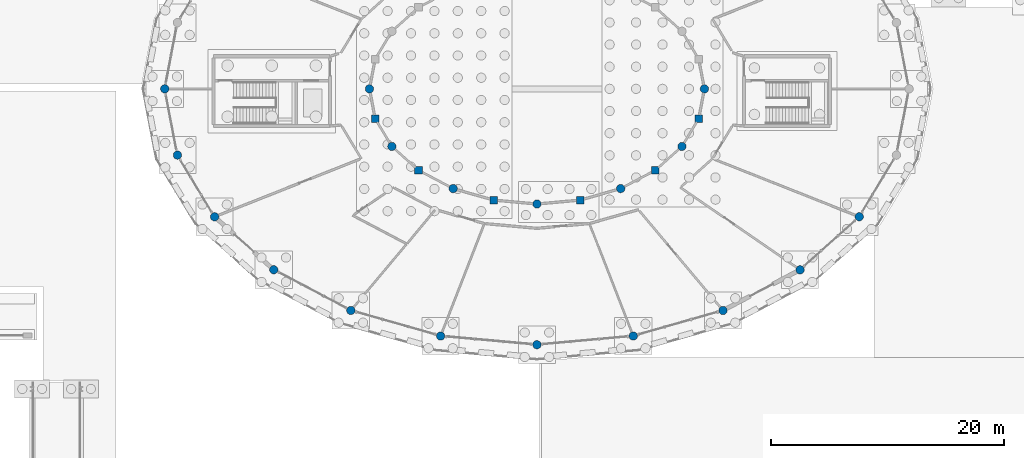
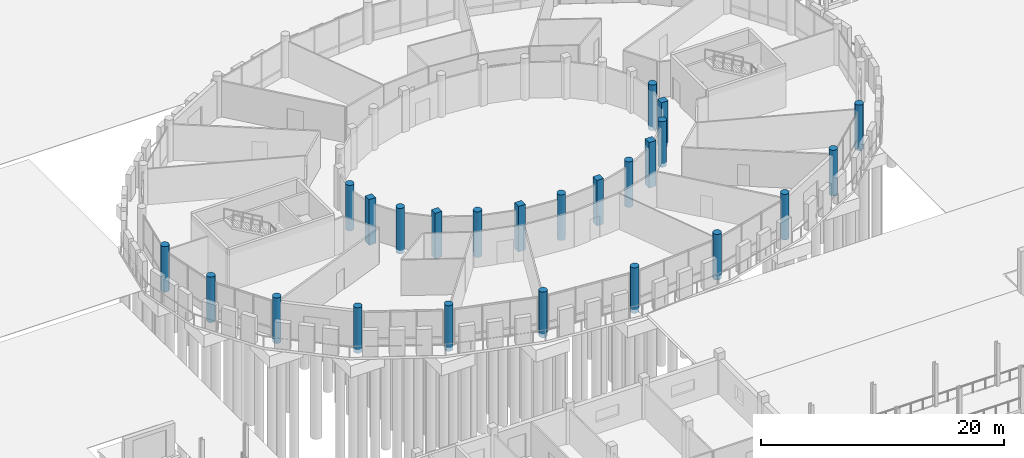
# One storey, part 11 of 98: 24 columns.
"""IFC4 building model written with IfcOpenShell, lengths in metres."""

import ifcopenshell
import ifcopenshell.guid

model = None  # the IFC model being written
_history = None  # IfcOwnerHistory: only IFC2X3 demands one
_inside = {}  # id of a spatial element -> (the spatial element, [elements in it])
_under = {}  # id of a project, library or spatial element -> (it, [spatial elements below it])
_declared = {}  # id of a project -> (the project, [libraries it declares])
_typed = {}  # id of a type object -> (the type object, [elements of that type])
_made_of = {}  # id of a material, layer set ... -> (it, [elements and type objects made of it])


def new_model(schema):
    """Start an empty IFC model of exactly this schema.

    Asked for "IFC4X3", IfcOpenShell would pick the latest addendum, in which some entities
    have other attributes; the version numbers below select the first issue.
    IFC2X3 requires an IfcOwnerHistory on every rooted entity: one is made here for all.
    """
    global model, _history
    if schema == "IFC4X3":
        model = ifcopenshell.file(schema_version=(4, 3, 0, 0))
    else:
        model = ifcopenshell.file(schema=schema)
    _inside.clear()
    _under.clear()
    _declared.clear()
    _typed.clear()
    _made_of.clear()
    _history = None
    if model.schema == "IFC2X3":
        org = make("IfcOrganization", Name="unknown")
        user = make(
            "IfcPersonAndOrganization",
            ThePerson=make("IfcPerson", FamilyName="unknown"),
            TheOrganization=org,
        )
        app = make(
            "IfcApplication",
            ApplicationDeveloper=org,
            Version="unknown",
            ApplicationFullName="unknown",
            ApplicationIdentifier="unknown",
        )
        _history = make(
            "IfcOwnerHistory",
            OwningUser=user,
            OwningApplication=app,
            ChangeAction="ADDED",
            CreationDate=0,
        )
    return model


def make(cls, **values):
    """One entity of the class cls with the attributes given. An attribute that is None is left unset."""
    return model.create_entity(
        cls, **{name: value for name, value in values.items() if value is not None}
    )


def rooted(cls, **values):
    """An entity with a GlobalId (a new one), such as an element, a storey or a relation."""
    return make(cls, GlobalId=ifcopenshell.guid.new(), OwnerHistory=_history, **values)


def si_unit(unit_type, name, prefix=None):
    """IfcSIUnit, for example si_unit("LENGTHUNIT", "METRE", prefix="MILLI")."""
    return make("IfcSIUnit", UnitType=unit_type, Prefix=prefix, Name=name)


def assignment(units):
    """IfcUnitAssignment: the units of a project."""
    return None if units is None else make("IfcUnitAssignment", Units=units)


def point(xyz):
    """IfcCartesianPoint."""
    return None if xyz is None else make("IfcCartesianPoint", Coordinates=xyz)


def direction(xyz):
    """IfcDirection."""
    return None if xyz is None else make("IfcDirection", DirectionRatios=xyz)


def frame(location, z_axis=None, x_axis=None):
    """IfcAxis2Placement3D, a coordinate frame: its origin and axes. An axis left out is left unset."""
    return make(
        "IfcAxis2Placement3D",
        Location=point(location),
        Axis=direction(z_axis),
        RefDirection=direction(x_axis),
    )


def frame_2d(location, x_axis=None):
    """IfcAxis2Placement2D, a coordinate frame in the plane: its origin and x axis."""
    return make(
        "IfcAxis2Placement2D", Location=point(location), RefDirection=direction(x_axis)
    )


def origin():
    """The frame at (0, 0, 0) with its axes left unset."""
    return frame((0.0, 0.0, 0.0))


def origin_2d():
    """The frame at (0, 0) in the plane with its x axis left unset."""
    return frame_2d((0.0, 0.0))


def place(relative_to, where):
    """IfcLocalPlacement: puts the frame where relative to a parent placement (None: the world)."""
    return make(
        "IfcLocalPlacement", PlacementRelTo=relative_to, RelativePlacement=where
    )


def context(
    kind, dimensions, precision=None, world=None, true_north=None, identifier=None
):
    """IfcGeometricRepresentationContext, for example the 3D "Model" context."""
    return make(
        "IfcGeometricRepresentationContext",
        ContextIdentifier=identifier,
        ContextType=kind,
        CoordinateSpaceDimension=dimensions,
        Precision=precision,
        WorldCoordinateSystem=world,
        TrueNorth=true_north,
    )


def subcontext(parent, identifier, kind, view, scale=None):
    """IfcGeometricRepresentationSubContext, for example "Body" below "Model"."""
    return make(
        "IfcGeometricRepresentationSubContext",
        ContextIdentifier=identifier,
        ContextType=kind,
        ParentContext=parent,
        TargetScale=scale,
        TargetView=view,
    )


def project(units=None, contexts=None):
    """IfcProject with its units and contexts."""
    return rooted(
        "IfcProject",
        Name="project",
        RepresentationContexts=contexts,
        UnitsInContext=assignment(units),
    )


def spatial(cls, under=None, at=None, **own):
    """A site, building, storey or space (cls), placed at a placement, below another one or the project."""
    s = rooted(cls, ObjectPlacement=at, **own)
    if under is not None:
        _under.setdefault(under.id(), (under, []))[1].append(s)
    return s


def profile(cls, at=None, kind="AREA", **sizes):
    """A parametric profile (cls). Its sizes go by their IFC names, for example OverallWidth=200.0."""
    return make(cls, ProfileType=kind, Position=at, **sizes)


def rectangle(**sizes):
    """IfcRectangleProfileDef."""
    return profile("IfcRectangleProfileDef", **sizes)


def circle(**sizes):
    """IfcCircleProfileDef."""
    return profile("IfcCircleProfileDef", **sizes)


def extrude(swept, where, along, depth):
    """IfcExtrudedAreaSolid: the profile swept, set in the frame where, extruded along a direction by depth."""
    return make(
        "IfcExtrudedAreaSolid",
        SweptArea=swept,
        Position=where,
        ExtrudedDirection=direction(along),
        Depth=depth,
    )


def shape(context_of_items, identifier, shape_type, items):
    """IfcShapeRepresentation: the items that make up one representation, for example the "Body"."""
    return make(
        "IfcShapeRepresentation",
        ContextOfItems=context_of_items,
        RepresentationIdentifier=identifier,
        RepresentationType=shape_type,
        Items=items,
    )


def material(Name=None, Category=None):
    """IfcMaterial."""
    return make("IfcMaterial", Name=Name, Category=Category)


def material_profile(
    of_material, cross_section, Name=None, Category=None, Priority=None
):
    """IfcMaterialProfile: a cross section and its material."""
    return make(
        "IfcMaterialProfile",
        Name=Name,
        Material=of_material,
        Profile=cross_section,
        Priority=Priority,
        Category=Category,
    )


def profile_set(profiles, Name=None, composite=None):
    """IfcMaterialProfileSet."""
    return make(
        "IfcMaterialProfileSet",
        Name=Name,
        MaterialProfiles=profiles,
        CompositeProfile=composite,
    )


def made_of(thing, what):
    """Note that an element or type object is made of a material, layer set ...; save() writes the relation."""
    if what is not None:
        _made_of.setdefault(what.id(), (what, []))[1].append(thing)
    return thing


def type_object(cls, material=None, **own):
    """A type object (cls), such as IfcWallType, which elements share."""
    return made_of(rooted(cls, **own), material)


def element(
    cls,
    number,
    at=None,
    inside=None,
    cuts=None,
    type_object=None,
    material=None,
    context=None,
    identifier="Body",
    shape_type=None,
    held_by="IfcProductDefinitionShape",
    body=None,
    shapes=None,
    **own,
):
    """One element of the class cls, such as IfcWall. Its Tag is "e" and its number.

    at: its placement. inside: the storey or other place that contains it. cuts: it is an
    opening in that element (IfcRelVoidsElement). A single representation is given by context,
    identifier, shape_type and body (its items); several are given by shapes. held_by: the class
    of the entity that holds the representations. save() writes the other relations.
    """
    e = rooted(cls, Tag="e%d" % number, ObjectPlacement=at, **own)
    if body is not None:
        shapes = [shape(context, identifier, shape_type, body)]
    if shapes is not None:
        e.Representation = make(held_by, Representations=shapes)
    if inside is not None:
        _inside.setdefault(inside.id(), (inside, []))[1].append(e)
    if cuts is not None:
        rooted(
            "IfcRelVoidsElement", RelatingBuildingElement=cuts, RelatedOpeningElement=e
        )
    if type_object is not None:
        _typed.setdefault(type_object.id(), (type_object, []))[1].append(e)
    return made_of(e, material)


def aggregate(whole, parts):
    """IfcRelAggregates: a whole, such as a stair, and the parts it consists of."""
    return rooted("IfcRelAggregates", RelatingObject=whole, RelatedObjects=parts)


def save(model, path):
    """Write the relations noted so far, then the file.

    IfcRelAggregates (storeys below a building ...), IfcRelContainedInSpatialStructure (elements
    in a storey), IfcRelDefinesByType, IfcRelAssociatesMaterial and IfcRelDeclares: one each for
    every whole, place, type object, material and project.
    """
    for whole, parts in _under.values():
        aggregate(whole, parts)
    for where, things in _inside.values():
        rooted(
            "IfcRelContainedInSpatialStructure",
            RelatedElements=things,
            RelatingStructure=where,
        )
    for kind, things in _typed.values():
        rooted("IfcRelDefinesByType", RelatedObjects=things, RelatingType=kind)
    for what, things in _made_of.values():
        rooted("IfcRelAssociatesMaterial", RelatedObjects=things, RelatingMaterial=what)
    for by, libraries in _declared.values():
        rooted("IfcRelDeclares", RelatingContext=by, RelatedDefinitions=libraries)
    model.write(path)


model = new_model("IFC4")

# Units and contexts
model_context = context("Model", 3, precision=1e-05, world=origin(), true_north=direction((0.0, 1.0)))
body_context = subcontext(model_context, "Body", "Model", "MODEL_VIEW")
ifc_project = project(units=[si_unit("LENGTHUNIT", "METRE"), si_unit("AREAUNIT", "SQUARE_METRE"), si_unit("VOLUMEUNIT", "CUBIC_METRE"), si_unit("PLANEANGLEUNIT", "RADIAN"), si_unit("MASSUNIT", "GRAM", prefix="KILO")], contexts=[model_context])

# Site, building, storey
site_placement = place(None, origin())
site = spatial("IfcSite", under=ifc_project, at=site_placement, CompositionType="ELEMENT")
building_placement = place(site_placement, origin())
building = spatial("IfcBuilding", under=site, at=building_placement, Name="Zornivar Specialist Clinic", CompositionType="ELEMENT")
storey_placement = place(building_placement, origin())
storey = spatial("IfcBuildingStorey", under=building, at=storey_placement, Name="L00", CompositionType="ELEMENT", Elevation=0.0)

# Columns
ifc_material_1 = material(Name="Concrete C35/45", Category="concrete")
ifc_material_profile_1 = material_profile(ifc_material_1, rectangle(XDim=0.64990234375, YDim=0.64990234375, at=origin_2d()), Name="RC 650x650")
ifc_profile_set_1 = profile_set([ifc_material_profile_1], Name="Concrete C35/45")
column_type_1 = type_object("IfcColumnType", Name="COL-RC-650", PredefinedType="COLUMN", material=ifc_profile_set_1)
for number, where, z_axis, x_axis, name in (
    (1, (79.69091796875, 55.0380859375, -0.3798828125), (0.0, 0.0, 1.0), (1.0, 0.0, 0.0), "col:V1:L00:in:13"),
    (2, (83.41796875, 50.60009765625, -0.3798828125), (0.0, 0.0, 1.0), (1.0, 0.0, 0.0), "col:V1:L00:in:15"),
    (3, (89.873046875, 48.037109375, -0.3798828125), (0.0, 0.0, 1.0), (1.0, 0.0, 0.0), "col:V1:L00:in:17"),
    (4, (97.326904296875, 48.037109375, -0.3798828125), (0.0, 0.0, 1.0), (1.0, 0.0, 0.0), "col:V1:L00:in:19"),
    (5, (103.781982421875, 50.60009765625, -0.3798828125), (0.0, 0.0, 1.0), (1.0, 0.0, 0.0), "col:V1:L00:in:21"),
    (6, (107.509033203125, 55.0380859375, -0.3798828125), (0.0, 0.0, 1.0), (1.0, 0.0, 0.0), "col:V1:L00:in:23"),
):
    element("IfcColumn", number, at=place(storey_placement, frame(where, z_axis=z_axis, x_axis=x_axis)), inside=storey, type_object=column_type_1, Name=name, PredefinedType="COLUMN", context=body_context, shape_type="SweptSolid", body=[
        extrude(rectangle(XDim=0.64990234375, YDim=0.64990234375, at=origin_2d()), origin(), (0.0, 0.0, 1.0), 4.58984375),
    ])
ifc_material_2 = material(Name="Concrete C35/45", Category="concrete")
ifc_material_profile_2 = material_profile(ifc_material_2, circle(Radius=0.360107421875, at=origin_2d()), Name="RC D720")
ifc_profile_set_2 = profile_set([ifc_material_profile_2], Name="Concrete C35/45")
column_type_2 = type_object("IfcColumnType", Name="COL-RC-D720", PredefinedType="COLUMN", material=ifc_profile_set_2)
for number, where, z_axis, x_axis, name in (
    (7, (108.0, 57.60009765625, -0.3798828125), (0.0, 0.0, 1.0), (1.0, 0.0, 0.0), "col:V1:L00:in:00"),
    (8, (61.60009765625, 57.60009765625, -0.3798828125), (0.0, 0.0, 1.0), (1.0, 0.0, 0.0), "col:V1:L00:out:12"),
    (9, (79.199951171875, 57.60009765625, -0.3798828125), (0.0, 0.0, 1.0), (1.0, 0.0, 0.0), "col:V1:L00:in:12"),
    (10, (62.68994140625, 51.906005859375, -0.3798828125), (0.0, 0.0, 1.0), (1.0, 0.0, 0.0), "col:V1:L00:out:13"),
    (11, (65.886962890625, 46.60009765625, -0.3798828125), (0.0, 0.0, 1.0), (1.0, 0.0, 0.0), "col:V1:L00:out:14"),
    (12, (81.12890625, 52.64990234375, -0.3798828125), (0.0, 0.0, 1.0), (1.0, 0.0, 0.0), "col:V1:L00:in:14"),
    (13, (70.972900390625, 42.0439453125, -0.3798828125), (0.0, 0.0, 1.0), (1.0, 0.0, 0.0), "col:V1:L00:out:15"),
    (14, (77.60009765625, 38.547119140625, -0.3798828125), (0.0, 0.0, 1.0), (1.0, 0.0, 0.0), "col:V1:L00:out:16"),
    (15, (86.39990234375, 49.02587890625, -0.3798828125), (0.0, 0.0, 1.0), (1.0, 0.0, 0.0), "col:V1:L00:in:16"),
    (16, (85.318115234375, 36.35009765625, -0.3798828125), (0.0, 0.0, 1.0), (1.0, 0.0, 0.0), "col:V1:L00:out:17"),
    (17, (93.60009765625, 35.60009765625, -0.3798828125), (0.0, 0.0, 1.0), (1.0, 0.0, 0.0), "col:V1:L00:out:18"),
    (18, (93.60009765625, 47.699951171875, -0.3798828125), (0.0, 0.0, 1.0), (1.0, 0.0, 0.0), "col:V1:L00:in:18"),
    (19, (101.882080078125, 36.35009765625, -0.3798828125), (0.0, 0.0, 1.0), (1.0, 0.0, 0.0), "col:V1:L00:out:19"),
    (20, (109.60009765625, 38.547119140625, -0.3798828125), (0.0, 0.0, 1.0), (1.0, 0.0, 0.0), "col:V1:L00:out:20"),
    (21, (100.800048828125, 49.02587890625, -0.3798828125), (0.0, 0.0, 1.0), (1.0, 0.0, 0.0), "col:V1:L00:in:20"),
    (22, (116.22705078125, 42.0439453125, -0.3798828125), (0.0, 0.0, 1.0), (1.0, 0.0, 0.0), "col:V1:L00:out:21"),
    (23, (121.31298828125, 46.60009765625, -0.3798828125), (0.0, 0.0, 1.0), (1.0, 0.0, 0.0), "col:V1:L00:out:22"),
    (24, (106.071044921875, 52.64990234375, -0.3798828125), (0.0, 0.0, 1.0), (1.0, 0.0, 0.0), "col:V1:L00:in:22"),
):
    element("IfcColumn", number, at=place(storey_placement, frame(where, z_axis=z_axis, x_axis=x_axis)), inside=storey, type_object=column_type_2, Name=name, PredefinedType="COLUMN", context=body_context, shape_type="SweptSolid", body=[
        extrude(circle(Radius=0.360107421875, at=origin_2d()), origin(), (0.0, 0.0, 1.0), 4.58984375),
    ])

save(model, "model.ifc")
